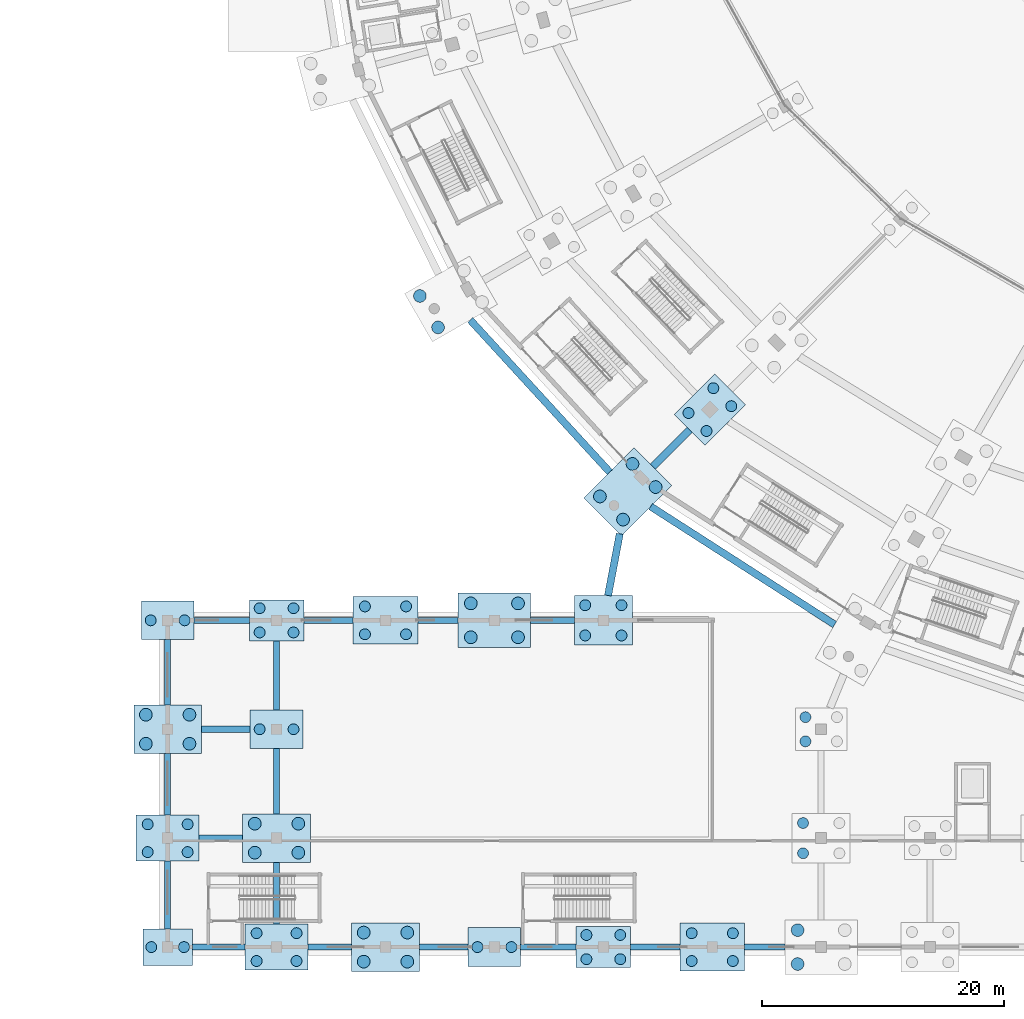
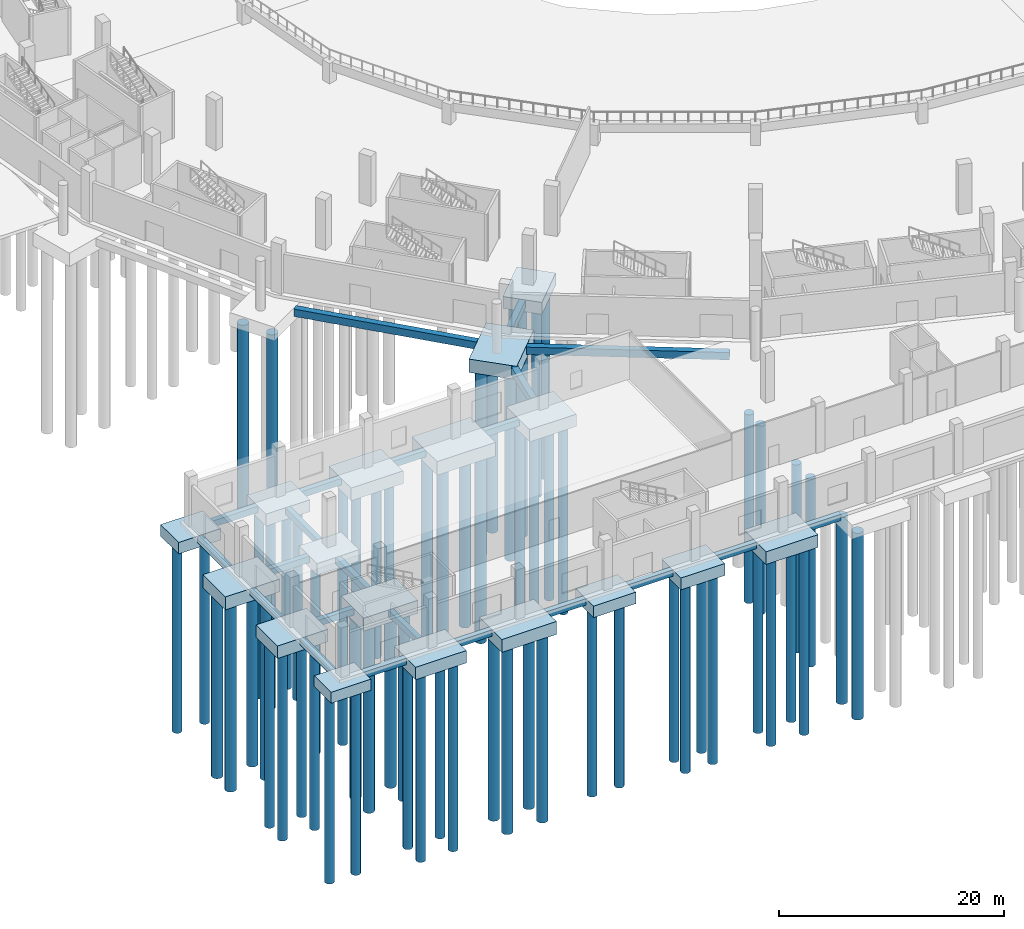
# One storey, part 1 of 103: 68 piles, 39 footings.
"""IFC4 building model written with IfcOpenShell, lengths in metres."""

import ifcopenshell
import ifcopenshell.guid

model = None  # the IFC model being written
_history = None  # IfcOwnerHistory: only IFC2X3 demands one
_inside = {}  # id of a spatial element -> (the spatial element, [elements in it])
_under = {}  # id of a project, library or spatial element -> (it, [spatial elements below it])
_declared = {}  # id of a project -> (the project, [libraries it declares])
_typed = {}  # id of a type object -> (the type object, [elements of that type])
_made_of = {}  # id of a material, layer set ... -> (it, [elements and type objects made of it])


def new_model(schema):
    """Start an empty IFC model of exactly this schema.

    Asked for "IFC4X3", IfcOpenShell would pick the latest addendum, in which some entities
    have other attributes; the version numbers below select the first issue.
    IFC2X3 requires an IfcOwnerHistory on every rooted entity: one is made here for all.
    """
    global model, _history
    if schema == "IFC4X3":
        model = ifcopenshell.file(schema_version=(4, 3, 0, 0))
    else:
        model = ifcopenshell.file(schema=schema)
    _inside.clear()
    _under.clear()
    _declared.clear()
    _typed.clear()
    _made_of.clear()
    _history = None
    if model.schema == "IFC2X3":
        org = make("IfcOrganization", Name="unknown")
        user = make(
            "IfcPersonAndOrganization",
            ThePerson=make("IfcPerson", FamilyName="unknown"),
            TheOrganization=org,
        )
        app = make(
            "IfcApplication",
            ApplicationDeveloper=org,
            Version="unknown",
            ApplicationFullName="unknown",
            ApplicationIdentifier="unknown",
        )
        _history = make(
            "IfcOwnerHistory",
            OwningUser=user,
            OwningApplication=app,
            ChangeAction="ADDED",
            CreationDate=0,
        )
    return model


def make(cls, **values):
    """One entity of the class cls with the attributes given. An attribute that is None is left unset."""
    return model.create_entity(
        cls, **{name: value for name, value in values.items() if value is not None}
    )


def rooted(cls, **values):
    """An entity with a GlobalId (a new one), such as an element, a storey or a relation."""
    return make(cls, GlobalId=ifcopenshell.guid.new(), OwnerHistory=_history, **values)


def si_unit(unit_type, name, prefix=None):
    """IfcSIUnit, for example si_unit("LENGTHUNIT", "METRE", prefix="MILLI")."""
    return make("IfcSIUnit", UnitType=unit_type, Prefix=prefix, Name=name)


def assignment(units):
    """IfcUnitAssignment: the units of a project."""
    return None if units is None else make("IfcUnitAssignment", Units=units)


def point(xyz):
    """IfcCartesianPoint."""
    return None if xyz is None else make("IfcCartesianPoint", Coordinates=xyz)


def direction(xyz):
    """IfcDirection."""
    return None if xyz is None else make("IfcDirection", DirectionRatios=xyz)


def frame(location, z_axis=None, x_axis=None):
    """IfcAxis2Placement3D, a coordinate frame: its origin and axes. An axis left out is left unset."""
    return make(
        "IfcAxis2Placement3D",
        Location=point(location),
        Axis=direction(z_axis),
        RefDirection=direction(x_axis),
    )


def frame_2d(location, x_axis=None):
    """IfcAxis2Placement2D, a coordinate frame in the plane: its origin and x axis."""
    return make(
        "IfcAxis2Placement2D", Location=point(location), RefDirection=direction(x_axis)
    )


def origin():
    """The frame at (0, 0, 0) with its axes left unset."""
    return frame((0.0, 0.0, 0.0))


def origin_2d():
    """The frame at (0, 0) in the plane with its x axis left unset."""
    return frame_2d((0.0, 0.0))


def place(relative_to, where):
    """IfcLocalPlacement: puts the frame where relative to a parent placement (None: the world)."""
    return make(
        "IfcLocalPlacement", PlacementRelTo=relative_to, RelativePlacement=where
    )


def context(
    kind, dimensions, precision=None, world=None, true_north=None, identifier=None
):
    """IfcGeometricRepresentationContext, for example the 3D "Model" context."""
    return make(
        "IfcGeometricRepresentationContext",
        ContextIdentifier=identifier,
        ContextType=kind,
        CoordinateSpaceDimension=dimensions,
        Precision=precision,
        WorldCoordinateSystem=world,
        TrueNorth=true_north,
    )


def subcontext(parent, identifier, kind, view, scale=None):
    """IfcGeometricRepresentationSubContext, for example "Body" below "Model"."""
    return make(
        "IfcGeometricRepresentationSubContext",
        ContextIdentifier=identifier,
        ContextType=kind,
        ParentContext=parent,
        TargetScale=scale,
        TargetView=view,
    )


def project(units=None, contexts=None):
    """IfcProject with its units and contexts."""
    return rooted(
        "IfcProject",
        Name="project",
        RepresentationContexts=contexts,
        UnitsInContext=assignment(units),
    )


def spatial(cls, under=None, at=None, **own):
    """A site, building, storey or space (cls), placed at a placement, below another one or the project."""
    s = rooted(cls, ObjectPlacement=at, **own)
    if under is not None:
        _under.setdefault(under.id(), (under, []))[1].append(s)
    return s


def profile(cls, at=None, kind="AREA", **sizes):
    """A parametric profile (cls). Its sizes go by their IFC names, for example OverallWidth=200.0."""
    return make(cls, ProfileType=kind, Position=at, **sizes)


def rectangle(**sizes):
    """IfcRectangleProfileDef."""
    return profile("IfcRectangleProfileDef", **sizes)


def circle(**sizes):
    """IfcCircleProfileDef."""
    return profile("IfcCircleProfileDef", **sizes)


def extrude(swept, where, along, depth):
    """IfcExtrudedAreaSolid: the profile swept, set in the frame where, extruded along a direction by depth."""
    return make(
        "IfcExtrudedAreaSolid",
        SweptArea=swept,
        Position=where,
        ExtrudedDirection=direction(along),
        Depth=depth,
    )


def shape(context_of_items, identifier, shape_type, items):
    """IfcShapeRepresentation: the items that make up one representation, for example the "Body"."""
    return make(
        "IfcShapeRepresentation",
        ContextOfItems=context_of_items,
        RepresentationIdentifier=identifier,
        RepresentationType=shape_type,
        Items=items,
    )


def material(Name=None, Category=None):
    """IfcMaterial."""
    return make("IfcMaterial", Name=Name, Category=Category)


def material_profile(
    of_material, cross_section, Name=None, Category=None, Priority=None
):
    """IfcMaterialProfile: a cross section and its material."""
    return make(
        "IfcMaterialProfile",
        Name=Name,
        Material=of_material,
        Profile=cross_section,
        Priority=Priority,
        Category=Category,
    )


def profile_set(profiles, Name=None, composite=None):
    """IfcMaterialProfileSet."""
    return make(
        "IfcMaterialProfileSet",
        Name=Name,
        MaterialProfiles=profiles,
        CompositeProfile=composite,
    )


def made_of(thing, what):
    """Note that an element or type object is made of a material, layer set ...; save() writes the relation."""
    if what is not None:
        _made_of.setdefault(what.id(), (what, []))[1].append(thing)
    return thing


def type_object(cls, material=None, **own):
    """A type object (cls), such as IfcWallType, which elements share."""
    return made_of(rooted(cls, **own), material)


def element(
    cls,
    number,
    at=None,
    inside=None,
    cuts=None,
    type_object=None,
    material=None,
    context=None,
    identifier="Body",
    shape_type=None,
    held_by="IfcProductDefinitionShape",
    body=None,
    shapes=None,
    **own,
):
    """One element of the class cls, such as IfcWall. Its Tag is "e" and its number.

    at: its placement. inside: the storey or other place that contains it. cuts: it is an
    opening in that element (IfcRelVoidsElement). A single representation is given by context,
    identifier, shape_type and body (its items); several are given by shapes. held_by: the class
    of the entity that holds the representations. save() writes the other relations.
    """
    e = rooted(cls, Tag="e%d" % number, ObjectPlacement=at, **own)
    if body is not None:
        shapes = [shape(context, identifier, shape_type, body)]
    if shapes is not None:
        e.Representation = make(held_by, Representations=shapes)
    if inside is not None:
        _inside.setdefault(inside.id(), (inside, []))[1].append(e)
    if cuts is not None:
        rooted(
            "IfcRelVoidsElement", RelatingBuildingElement=cuts, RelatedOpeningElement=e
        )
    if type_object is not None:
        _typed.setdefault(type_object.id(), (type_object, []))[1].append(e)
    return made_of(e, material)


def aggregate(whole, parts):
    """IfcRelAggregates: a whole, such as a stair, and the parts it consists of."""
    return rooted("IfcRelAggregates", RelatingObject=whole, RelatedObjects=parts)


def save(model, path):
    """Write the relations noted so far, then the file.

    IfcRelAggregates (storeys below a building ...), IfcRelContainedInSpatialStructure (elements
    in a storey), IfcRelDefinesByType, IfcRelAssociatesMaterial and IfcRelDeclares: one each for
    every whole, place, type object, material and project.
    """
    for whole, parts in _under.values():
        aggregate(whole, parts)
    for where, things in _inside.values():
        rooted(
            "IfcRelContainedInSpatialStructure",
            RelatedElements=things,
            RelatingStructure=where,
        )
    for kind, things in _typed.values():
        rooted("IfcRelDefinesByType", RelatedObjects=things, RelatingType=kind)
    for what, things in _made_of.values():
        rooted("IfcRelAssociatesMaterial", RelatedObjects=things, RelatingMaterial=what)
    for by, libraries in _declared.values():
        rooted("IfcRelDeclares", RelatingContext=by, RelatedDefinitions=libraries)
    model.write(path)


model = new_model("IFC4")

# Units and contexts
model_context = context("Model", 3, precision=1e-05, world=origin(), true_north=direction((0.0, 1.0)))
body_context = subcontext(model_context, "Body", "Model", "MODEL_VIEW")
ifc_project = project(units=[si_unit("LENGTHUNIT", "METRE"), si_unit("AREAUNIT", "SQUARE_METRE"), si_unit("VOLUMEUNIT", "CUBIC_METRE"), si_unit("PLANEANGLEUNIT", "RADIAN"), si_unit("MASSUNIT", "GRAM", prefix="KILO")], contexts=[model_context])

# Site, building, storey
site_placement = place(None, origin())
site = spatial("IfcSite", under=ifc_project, at=site_placement, CompositionType="ELEMENT")
building_placement = place(site_placement, origin())
building = spatial("IfcBuilding", under=site, at=building_placement, Name="Zevraka Park Crest Stadium", CompositionType="ELEMENT")
storey_placement = place(building_placement, origin())
storey = spatial("IfcBuildingStorey", under=building, at=storey_placement, Name="L00", CompositionType="ELEMENT", Elevation=0.0)

# Footings
ifc_material_1 = material(Name="Concrete C35/45", Category="concrete")
ifc_material_profile_1 = material_profile(ifc_material_1, rectangle(XDim=0.60009765625, YDim=0.800048828125, at=origin_2d()), Name="GB 800x600")
ifc_profile_set_1 = profile_set([ifc_material_profile_1], Name="Concrete C35/45")
footing_type_1 = type_object("IfcFootingType", Name="GB01", PredefinedType="FOOTING_BEAM", material=ifc_profile_set_1)
footing_1_placement = place(storey_placement, frame((34.00390625, 51.81396484375, -0.75), z_axis=(0.675899664643, -0.736993652167, 0.0), x_axis=(0.736993652167, 0.675899664643, 0.0)))
element("IfcFooting", 1, at=footing_1_placement, inside=storey, type_object=footing_type_1, Name="Ground Tie Beam GB01 CIR-DE-14", PredefinedType="FOOTING_BEAM", context=body_context, shape_type="SweptSolid", body=[
    extrude(rectangle(XDim=0.60009765625, YDim=0.800048828125, at=origin_2d()), origin(), (0.0, 0.0, 1.0), 17.051513671875),
])
footing_2_placement = place(storey_placement, frame((52.1259765625, 42.73291015625, -0.75), z_axis=(-0.707106781187, -0.707106781187, 0.0), x_axis=(0.707106781187, -0.707106781187, 0.0)))
element("IfcFooting", 2, at=footing_2_placement, inside=storey, type_object=footing_type_1, Name="Ground Tie Beam GB01 RAD-CDE-15", PredefinedType="FOOTING_BEAM", context=body_context, shape_type="SweptSolid", body=[
    extrude(rectangle(XDim=0.60009765625, YDim=0.800048828125, at=origin_2d()), origin(), (0.0, 0.0, 1.0), 4.300537109375),
])
footing_3_placement = place(storey_placement, frame((48.912109375, 36.406982421875, -0.75), z_axis=(0.841456315092, -0.540325151915, 0.0), x_axis=(0.540325151915, 0.841456315092, 0.0)))
element("IfcFooting", 3, at=footing_3_placement, inside=storey, type_object=footing_type_1, Name="Ground Tie Beam GB01 CIR-DE-15", PredefinedType="FOOTING_BEAM", context=body_context, shape_type="SweptSolid", body=[
    extrude(rectangle(XDim=0.60009765625, YDim=0.800048828125, at=origin_2d()), origin(), (0.0, 0.0, 1.0), 18.06494140625),
])
footing_4_placement = place(storey_placement, frame((45.388916015625, 29.050048828125, -0.75), z_axis=(0.186586612656, 0.982438515113, 0.0), x_axis=(-0.982438515113, 0.186586612656, 0.0)))
element("IfcFooting", 4, at=footing_4_placement, inside=storey, type_object=footing_type_1, Name="Ground Tie Beam GB01 WTIE-6-D", PredefinedType="FOOTING_BEAM", context=body_context, shape_type="SweptSolid", body=[
    extrude(rectangle(XDim=0.60009765625, YDim=0.800048828125, at=origin_2d()), origin(), (0.0, 0.0, 1.0), 5.18798828125),
])
ifc_material_2 = material(Name="Concrete C35/45", Category="concrete")
ifc_material_profile_2 = material_profile(ifc_material_2, rectangle(XDim=0.5, YDim=0.699951171875, at=origin_2d()), Name="GB 700x500")
ifc_profile_set_2 = profile_set([ifc_material_profile_2], Name="Concrete C35/45")
footing_type_2 = type_object("IfcFootingType", Name="GB02", PredefinedType="FOOTING_BEAM", material=ifc_profile_set_2)
footing_5_placement = place(storey_placement, frame((11.050048828125, 0.0, -0.699951171875), z_axis=(1.0, 0.0, 0.0), x_axis=(0.0, 1.0, 0.0)))
element("IfcFooting", 5, at=footing_5_placement, inside=storey, type_object=footing_type_2, Name="Ground Tie Beam GB02 WX-2-A", PredefinedType="FOOTING_BEAM", context=body_context, shape_type="SweptSolid", body=[
    extrude(rectangle(XDim=0.5, YDim=0.699951171875, at=origin_2d()), origin(), (0.0, 0.0, 1.0), 4.349853515625),
])
footing_6_placement = place(storey_placement, frame((9.0, 1.5, -0.699951171875), z_axis=(0.0, 1.0, 0.0), x_axis=(-1.0, 0.0, 0.0)))
element("IfcFooting", 6, at=footing_6_placement, inside=storey, type_object=footing_type_2, Name="Ground Tie Beam GB02 WY-2-A", PredefinedType="FOOTING_BEAM", context=body_context, shape_type="SweptSolid", body=[
    extrude(rectangle(XDim=0.5, YDim=0.699951171875, at=origin_2d()), origin(), (0.0, 0.0, 1.0), 5.60009765625),
])
footing_7_placement = place(storey_placement, frame((11.60009765625, 9.0, -0.699951171875), z_axis=(1.0, 0.0, 0.0), x_axis=(0.0, 1.0, 0.0)))
element("IfcFooting", 7, at=footing_7_placement, inside=storey, type_object=footing_type_2, Name="Ground Tie Beam GB02 WX-2-B", PredefinedType="FOOTING_BEAM", context=body_context, shape_type="SweptSolid", body=[
    extrude(rectangle(XDim=0.5, YDim=0.699951171875, at=origin_2d()), origin(), (0.0, 0.0, 1.0), 3.599853515625),
])
footing_8_placement = place(storey_placement, frame((9.0, 10.89990234375, -0.699951171875), z_axis=(0.0, 1.0, 0.0), x_axis=(-1.0, 0.0, 0.0)))
element("IfcFooting", 8, at=footing_8_placement, inside=storey, type_object=footing_type_2, Name="Ground Tie Beam GB02 WY-2-B", PredefinedType="FOOTING_BEAM", context=body_context, shape_type="SweptSolid", body=[
    extrude(rectangle(XDim=0.5, YDim=0.699951171875, at=origin_2d()), origin(), (0.0, 0.0, 1.0), 5.10009765625),
])
footing_9_placement = place(storey_placement, frame((11.800048828125, 18.0, -0.699951171875), z_axis=(1.0, 0.0, 0.0), x_axis=(0.0, 1.0, 0.0)))
element("IfcFooting", 9, at=footing_9_placement, inside=storey, type_object=footing_type_2, Name="Ground Tie Beam GB02 WX-2-C", PredefinedType="FOOTING_BEAM", context=body_context, shape_type="SweptSolid", body=[
    extrude(rectangle(XDim=0.5, YDim=0.699951171875, at=origin_2d()), origin(), (0.0, 0.0, 1.0), 4.02490234375),
])
footing_10_placement = place(storey_placement, frame((9.0, 20.0, -0.699951171875), z_axis=(0.0, 1.0, 0.0), x_axis=(-1.0, 0.0, 0.0)))
element("IfcFooting", 10, at=footing_10_placement, inside=storey, type_object=footing_type_2, Name="Ground Tie Beam GB02 WY-2-C", PredefinedType="FOOTING_BEAM", context=body_context, shape_type="SweptSolid", body=[
    extrude(rectangle(XDim=0.5, YDim=0.699951171875, at=origin_2d()), origin(), (0.0, 0.0, 1.0), 5.39990234375),
])
footing_11_placement = place(storey_placement, frame((11.175048828125, 27.0, -0.699951171875), z_axis=(1.0, 0.0, 0.0), x_axis=(0.0, 1.0, 0.0)))
element("IfcFooting", 11, at=footing_11_placement, inside=storey, type_object=footing_type_2, Name="Ground Tie Beam GB02 WX-2-D", PredefinedType="FOOTING_BEAM", context=body_context, shape_type="SweptSolid", body=[
    extrude(rectangle(XDim=0.5, YDim=0.699951171875, at=origin_2d()), origin(), (0.0, 0.0, 1.0), 4.574951171875),
])
footing_12_placement = place(storey_placement, frame((20.60009765625, 0.0, -0.699951171875), z_axis=(1.0, 0.0, 0.0), x_axis=(0.0, 1.0, 0.0)))
element("IfcFooting", 12, at=footing_12_placement, inside=storey, type_object=footing_type_2, Name="Ground Tie Beam GB02 WX-3-A", PredefinedType="FOOTING_BEAM", context=body_context, shape_type="SweptSolid", body=[
    extrude(rectangle(XDim=0.5, YDim=0.699951171875, at=origin_2d()), origin(), (0.0, 0.0, 1.0), 3.599853515625),
])
footing_13_placement = place(storey_placement, frame((18.0, 1.89990234375, -0.699951171875), z_axis=(0.0, 1.0, 0.0), x_axis=(-1.0, 0.0, 0.0)))
element("IfcFooting", 13, at=footing_13_placement, inside=storey, type_object=footing_type_2, Name="Ground Tie Beam GB02 WY-3-A", PredefinedType="FOOTING_BEAM", context=body_context, shape_type="SweptSolid", body=[
    extrude(rectangle(XDim=0.5, YDim=0.699951171875, at=origin_2d()), origin(), (0.0, 0.0, 1.0), 5.10009765625),
])
footing_14_placement = place(storey_placement, frame((18.0, 11.0, -0.699951171875), z_axis=(0.0, 1.0, 0.0), x_axis=(-1.0, 0.0, 0.0)))
element("IfcFooting", 14, at=footing_14_placement, inside=storey, type_object=footing_type_2, Name="Ground Tie Beam GB02 WY-3-B", PredefinedType="FOOTING_BEAM", context=body_context, shape_type="SweptSolid", body=[
    extrude(rectangle(XDim=0.5, YDim=0.699951171875, at=origin_2d()), origin(), (0.0, 0.0, 1.0), 5.39990234375),
])
footing_15_placement = place(storey_placement, frame((18.0, 19.60009765625, -0.699951171875), z_axis=(0.0, 1.0, 0.0), x_axis=(-1.0, 0.0, 0.0)))
element("IfcFooting", 15, at=footing_15_placement, inside=storey, type_object=footing_type_2, Name="Ground Tie Beam GB02 WY-3-C", PredefinedType="FOOTING_BEAM", context=body_context, shape_type="SweptSolid", body=[
    extrude(rectangle(XDim=0.5, YDim=0.699951171875, at=origin_2d()), origin(), (0.0, 0.0, 1.0), 5.699951171875),
])
footing_16_placement = place(storey_placement, frame((20.25, 27.0, -0.699951171875), z_axis=(1.0, 0.0, 0.0), x_axis=(0.0, 1.0, 0.0)))
element("IfcFooting", 16, at=footing_16_placement, inside=storey, type_object=footing_type_2, Name="Ground Tie Beam GB02 WX-3-D", PredefinedType="FOOTING_BEAM", context=body_context, shape_type="SweptSolid", body=[
    extrude(rectangle(XDim=0.5, YDim=0.699951171875, at=origin_2d()), origin(), (0.0, 0.0, 1.0), 4.074951171875),
])
footing_17_placement = place(storey_placement, frame((29.800048828125, 0.0, -0.699951171875), z_axis=(1.0, 0.0, 0.0), x_axis=(0.0, 1.0, 0.0)))
element("IfcFooting", 17, at=footing_17_placement, inside=storey, type_object=footing_type_2, Name="Ground Tie Beam GB02 WX-4-A", PredefinedType="FOOTING_BEAM", context=body_context, shape_type="SweptSolid", body=[
    extrude(rectangle(XDim=0.5, YDim=0.699951171875, at=origin_2d()), origin(), (0.0, 0.0, 1.0), 4.02490234375),
])
footing_18_placement = place(storey_placement, frame((29.675048828125, 27.0, -0.699951171875), z_axis=(1.0, 0.0, 0.0), x_axis=(0.0, 1.0, 0.0)))
element("IfcFooting", 18, at=footing_18_placement, inside=storey, type_object=footing_type_2, Name="Ground Tie Beam GB02 WX-4-D", PredefinedType="FOOTING_BEAM", context=body_context, shape_type="SweptSolid", body=[
    extrude(rectangle(XDim=0.5, YDim=0.699951171875, at=origin_2d()), origin(), (0.0, 0.0, 1.0), 3.324951171875),
])
footing_19_placement = place(storey_placement, frame((38.175048828125, 0.0, -0.699951171875), z_axis=(1.0, 0.0, 0.0), x_axis=(0.0, 1.0, 0.0)))
element("IfcFooting", 19, at=footing_19_placement, inside=storey, type_object=footing_type_2, Name="Ground Tie Beam GB02 WX-5-A", PredefinedType="FOOTING_BEAM", context=body_context, shape_type="SweptSolid", body=[
    extrude(rectangle(XDim=0.5, YDim=0.699951171875, at=origin_2d()), origin(), (0.0, 0.0, 1.0), 4.574951171875),
])
footing_20_placement = place(storey_placement, frame((39.0, 27.0, -0.699951171875), z_axis=(1.0, 0.0, 0.0), x_axis=(0.0, 1.0, 0.0)))
element("IfcFooting", 20, at=footing_20_placement, inside=storey, type_object=footing_type_2, Name="Ground Tie Beam GB02 WX-5-D", PredefinedType="FOOTING_BEAM", context=body_context, shape_type="SweptSolid", body=[
    extrude(rectangle(XDim=0.5, YDim=0.699951171875, at=origin_2d()), origin(), (0.0, 0.0, 1.0), 3.60009765625),
])
footing_21_placement = place(storey_placement, frame((47.25, 0.0, -0.699951171875), z_axis=(1.0, 0.0, 0.0), x_axis=(0.0, 1.0, 0.0)))
element("IfcFooting", 21, at=footing_21_placement, inside=storey, type_object=footing_type_2, Name="Ground Tie Beam GB02 WX-6-A", PredefinedType="FOOTING_BEAM", context=body_context, shape_type="SweptSolid", body=[
    extrude(rectangle(XDim=0.5, YDim=0.699951171875, at=origin_2d()), origin(), (0.0, 0.0, 1.0), 4.074951171875),
])
footing_22_placement = place(storey_placement, frame((56.675048828125, 0.0, -0.699951171875), z_axis=(1.0, 0.0, 0.0), x_axis=(0.0, 1.0, 0.0)))
element("IfcFooting", 22, at=footing_22_placement, inside=storey, type_object=footing_type_2, Name="Ground Tie Beam GB02 WX-7-A", PredefinedType="FOOTING_BEAM", context=body_context, shape_type="SweptSolid", body=[
    extrude(rectangle(XDim=0.5, YDim=0.699951171875, at=origin_2d()), origin(), (0.0, 0.0, 1.0), 3.324951171875),
])
ifc_material_3 = material(Name="Concrete C35/45", Category="concrete")
footing_type_3 = type_object("IfcFootingType", Name="PC10", PredefinedType="PILE_CAP", material=ifc_material_3)
footing_23_placement = place(storey_placement, frame((9.0, 0.0, -1.5498046875), z_axis=(0.0, 0.0, 1.0), x_axis=(1.0, 0.0, 0.0)))
element("IfcFooting", 23, at=footing_23_placement, inside=storey, type_object=footing_type_3, Name="Foundation PC10 W-2-A", PredefinedType="PILE_CAP", context=body_context, shape_type="SweptSolid", body=[
    extrude(rectangle(XDim=4.10009765625, YDim=3.0, at=origin_2d()), origin(), (0.0, 0.0, 1.0), 1.199951171875),
])
ifc_material_4 = material(Name="Concrete C35/45", Category="concrete")
footing_type_4 = type_object("IfcFootingType", Name="PC11", PredefinedType="PILE_CAP", material=ifc_material_4)
for number, where, z_axis, x_axis, name in (
    (24, (9.0, 9.0, -1.699951171875), (0.0, 0.0, 1.0), (1.0, 0.0, 0.0), "Foundation PC11 W-2-B"),
    (25, (18.0, 0.0, -1.699951171875), (0.0, 0.0, 1.0), (1.0, 0.0, 0.0), "Foundation PC11 W-3-A"),
):
    element("IfcFooting", number, at=place(storey_placement, frame(where, z_axis=z_axis, x_axis=x_axis)), inside=storey, type_object=footing_type_4, Name=name, PredefinedType="PILE_CAP", context=body_context, shape_type="SweptSolid", body=[
        extrude(rectangle(XDim=5.199951171875, YDim=3.800048828125, at=origin_2d()), origin(), (0.0, 0.0, 1.0), 1.35009765625),
    ])
ifc_material_5 = material(Name="Concrete C35/45", Category="concrete")
footing_type_5 = type_object("IfcFootingType", Name="PC12", PredefinedType="PILE_CAP", material=ifc_material_5)
for number, where, z_axis, x_axis, name in (
    (26, (9.0, 18.0, -1.75), (0.0, 0.0, 1.0), (1.0, 0.0, 0.0), "Foundation PC12 W-2-C"),
    (27, (18.0, 9.0, -1.75), (0.0, 0.0, 1.0), (1.0, 0.0, 0.0), "Foundation PC12 W-3-B"),
    (28, (27.0, 0.0, -1.75), (0.0, 0.0, 1.0), (1.0, 0.0, 0.0), "Foundation PC12 W-4-A"),
):
    element("IfcFooting", number, at=place(storey_placement, frame(where, z_axis=z_axis, x_axis=x_axis)), inside=storey, type_object=footing_type_5, Name=name, PredefinedType="PILE_CAP", context=body_context, shape_type="SweptSolid", body=[
        extrude(rectangle(XDim=5.60009765625, YDim=4.0, at=origin_2d()), origin(), (0.0, 0.0, 1.0), 1.39990234375),
    ])
ifc_material_6 = material(Name="Concrete C35/45", Category="concrete")
footing_type_6 = type_object("IfcFootingType", Name="PC13", PredefinedType="PILE_CAP", material=ifc_material_6)
footing_24_placement = place(storey_placement, frame((53.804931640625, 44.412109375, -1.64990234375), z_axis=(0.0, 0.0, 1.0), x_axis=(0.707106781187, 0.707106781187, 0.0)))
element("IfcFooting", 29, at=footing_24_placement, inside=storey, type_object=footing_type_6, Name="Foundation PC13 C-15", PredefinedType="PILE_CAP", context=body_context, shape_type="SweptSolid", body=[
    extrude(rectangle(XDim=4.75, YDim=3.60009765625, at=origin_2d()), origin(), (0.0, 0.0, 1.0), 1.300048828125),
])
ifc_material_7 = material(Name="Concrete C35/45", Category="concrete")
footing_type_7 = type_object("IfcFootingType", Name="PC15", PredefinedType="PILE_CAP", material=ifc_material_7)
footing_25_placement = place(storey_placement, frame((47.01708984375, 37.6240234375, -1.7998046875), z_axis=(0.0, 0.0, 1.0), x_axis=(0.707106781187, 0.707106781187, 0.0)))
element("IfcFooting", 30, at=footing_25_placement, inside=storey, type_object=footing_type_7, Name="Foundation PC15 DE-15", PredefinedType="PILE_CAP", context=body_context, shape_type="SweptSolid", body=[
    extrude(rectangle(XDim=5.85009765625, YDim=4.39990234375, at=origin_2d()), origin(), (0.0, 0.0, 1.0), 1.449951171875),
])
ifc_material_8 = material(Name="Concrete C35/45", Category="concrete")
footing_type_8 = type_object("IfcFootingType", Name="PC16", PredefinedType="PILE_CAP", material=ifc_material_8)
for number, where, z_axis, x_axis, name in (
    (31, (9.0, 27.0, -1.60009765625), (0.0, 0.0, 1.0), (1.0, 0.0, 0.0), "Foundation PC16 W-2-D"),
    (32, (18.0, 18.0, -1.60009765625), (0.0, 0.0, 1.0), (1.0, 0.0, 0.0), "Foundation PC16 W-3-C"),
    (33, (36.0, 0.0, -1.60009765625), (0.0, 0.0, 1.0), (1.0, 0.0, 0.0), "Foundation PC16 W-5-A"),
):
    element("IfcFooting", number, at=place(storey_placement, frame(where, z_axis=z_axis, x_axis=x_axis)), inside=storey, type_object=footing_type_8, Name=name, PredefinedType="PILE_CAP", context=body_context, shape_type="SweptSolid", body=[
        extrude(rectangle(XDim=4.35009765625, YDim=3.199951171875, at=origin_2d()), origin(), (0.0, 0.0, 1.0), 1.25),
    ])
ifc_material_9 = material(Name="Concrete C35/45", Category="concrete")
footing_type_9 = type_object("IfcFootingType", Name="PC17", PredefinedType="PILE_CAP", material=ifc_material_9)
for number, where, z_axis, x_axis, name in (
    (34, (18.0, 27.0, -1.64990234375), (0.0, 0.0, 1.0), (1.0, 0.0, 0.0), "Foundation PC17 W-3-D"),
    (35, (45.0, 0.0, -1.64990234375), (0.0, 0.0, 1.0), (1.0, 0.0, 0.0), "Foundation PC17 W-6-A"),
):
    element("IfcFooting", number, at=place(storey_placement, frame(where, z_axis=z_axis, x_axis=x_axis)), inside=storey, type_object=footing_type_9, Name=name, PredefinedType="PILE_CAP", context=body_context, shape_type="SweptSolid", body=[
        extrude(rectangle(XDim=4.5, YDim=3.39990234375, at=origin_2d()), origin(), (0.0, 0.0, 1.0), 1.300048828125),
    ])
ifc_material_10 = material(Name="Concrete C35/45", Category="concrete")
footing_type_10 = type_object("IfcFootingType", Name="PC18", PredefinedType="PILE_CAP", material=ifc_material_10)
for number, where, z_axis, x_axis, name in (
    (36, (27.0, 27.0, -1.72998046875), (0.0, 0.0, 1.0), (1.0, 0.0, 0.0), "Foundation PC18 W-4-D"),
    (37, (54.0, 0.0, -1.72998046875), (0.0, 0.0, 1.0), (1.0, 0.0, 0.0), "Foundation PC18 W-7-A"),
):
    element("IfcFooting", number, at=place(storey_placement, frame(where, z_axis=z_axis, x_axis=x_axis)), inside=storey, type_object=footing_type_10, Name=name, PredefinedType="PILE_CAP", context=body_context, shape_type="SweptSolid", body=[
        extrude(rectangle(XDim=5.35009765625, YDim=3.949951171875, at=origin_2d()), origin(), (0.0, 0.0, 1.0), 1.3798828125),
    ])
ifc_material_11 = material(Name="Concrete C35/45", Category="concrete")
footing_type_11 = type_object("IfcFootingType", Name="PC19", PredefinedType="PILE_CAP", material=ifc_material_11)
footing_26_placement = place(storey_placement, frame((36.0, 27.0, -1.830078125), z_axis=(0.0, 0.0, 1.0), x_axis=(1.0, 0.0, 0.0)))
element("IfcFooting", 38, at=footing_26_placement, inside=storey, type_object=footing_type_11, Name="Foundation PC19 W-5-D", PredefinedType="PILE_CAP", context=body_context, shape_type="SweptSolid", body=[
    extrude(rectangle(XDim=6.0, YDim=4.5, at=origin_2d()), origin(), (0.0, 0.0, 1.0), 1.47998046875),
])
ifc_material_12 = material(Name="Concrete C35/45", Category="concrete")
footing_type_12 = type_object("IfcFootingType", Name="PC20", PredefinedType="PILE_CAP", material=ifc_material_12)
footing_27_placement = place(storey_placement, frame((45.0, 27.0, -1.699951171875), z_axis=(0.0, 0.0, 1.0), x_axis=(1.0, 0.0, 0.0)))
element("IfcFooting", 39, at=footing_27_placement, inside=storey, type_object=footing_type_12, Name="Foundation PC20 W-6-D", PredefinedType="PILE_CAP", context=body_context, shape_type="SweptSolid", body=[
    extrude(rectangle(XDim=4.800048828125, YDim=4.10009765625, at=origin_2d()), origin(), (0.0, 0.0, 1.0), 1.35009765625),
])

# Piles
ifc_material_13 = material(Name="Concrete C35/45", Category="concrete")
ifc_material_profile_3 = material_profile(ifc_material_13, circle(Radius=0.449951171875, at=origin_2d()), Name="PILE D900")
ifc_profile_set_3 = profile_set([ifc_material_profile_3], Name="Concrete C35/45")
pile_type_1 = type_object("IfcPileType", Name="PL01", PredefinedType="BORED", material=ifc_profile_set_3)
for number, where, z_axis, x_axis, name in (
    (40, (53.52197265625, 42.64404296875, -1.550048828125), (0.0, 0.0, -1.0), (1.0, 0.0, 0.0), "Bored Pile PL01 C-15-1"),
    (41, (55.572998046875, 44.695068359375, -1.550048828125), (0.0, 0.0, -1.0), (1.0, 0.0, 0.0), "Bored Pile PL01 C-15-2"),
    (42, (52.037109375, 44.12890625, -1.550048828125), (0.0, 0.0, -1.0), (1.0, 0.0, 0.0), "Bored Pile PL01 C-15-3"),
    (43, (54.087890625, 46.179931640625, -1.550048828125), (0.0, 0.0, -1.0), (1.0, 0.0, 0.0), "Bored Pile PL01 C-15-4"),
):
    element("IfcPile", number, at=place(storey_placement, frame(where, z_axis=z_axis, x_axis=x_axis)), inside=storey, type_object=pile_type_1, Name=name, PredefinedType="BORED", context=body_context, shape_type="SweptSolid", body=[
        extrude(circle(Radius=0.449951171875, at=origin_2d()), origin(), (0.0, 0.0, 1.0), 20.449951171875),
    ])
for number, where, z_axis, x_axis, name in (
    (44, (7.64990234375, 0.0, -1.449951171875), (0.0, 0.0, -1.0), (1.0, 0.0, 0.0), "Bored Pile PL01 W-2-A-1"),
    (45, (10.35009765625, 0.0, -1.449951171875), (0.0, 0.0, -1.0), (1.0, 0.0, 0.0), "Bored Pile PL01 W-2-A-2"),
):
    element("IfcPile", number, at=place(storey_placement, frame(where, z_axis=z_axis, x_axis=x_axis)), inside=storey, type_object=pile_type_1, Name=name, PredefinedType="BORED", context=body_context, shape_type="SweptSolid", body=[
        extrude(circle(Radius=0.449951171875, at=origin_2d()), origin(), (0.0, 0.0, 1.0), 20.550048828125),
    ])
for number, where, z_axis, x_axis, name in (
    (46, (7.35009765625, 7.85009765625, -1.60009765625), (0.0, 0.0, -1.0), (1.0, 0.0, 0.0), "Bored Pile PL01 W-2-B-1"),
    (47, (10.64990234375, 7.85009765625, -1.60009765625), (0.0, 0.0, -1.0), (1.0, 0.0, 0.0), "Bored Pile PL01 W-2-B-2"),
    (48, (7.35009765625, 10.14990234375, -1.60009765625), (0.0, 0.0, -1.0), (1.0, 0.0, 0.0), "Bored Pile PL01 W-2-B-3"),
    (49, (10.64990234375, 10.14990234375, -1.60009765625), (0.0, 0.0, -1.0), (1.0, 0.0, 0.0), "Bored Pile PL01 W-2-B-4"),
):
    element("IfcPile", number, at=place(storey_placement, frame(where, z_axis=z_axis, x_axis=x_axis)), inside=storey, type_object=pile_type_1, Name=name, PredefinedType="BORED", context=body_context, shape_type="SweptSolid", body=[
        extrude(circle(Radius=0.449951171875, at=origin_2d()), origin(), (0.0, 0.0, 1.0), 20.39990234375),
    ])
for number, where, z_axis, x_axis, name in (
    (50, (7.60009765625, 27.0, -1.5), (0.0, 0.0, -1.0), (1.0, 0.0, 0.0), "Bored Pile PL01 W-2-D-1"),
    (51, (10.39990234375, 27.0, -1.5), (0.0, 0.0, -1.0), (1.0, 0.0, 0.0), "Bored Pile PL01 W-2-D-2"),
):
    element("IfcPile", number, at=place(storey_placement, frame(where, z_axis=z_axis, x_axis=x_axis)), inside=storey, type_object=pile_type_1, Name=name, PredefinedType="BORED", context=body_context, shape_type="SweptSolid", body=[
        extrude(circle(Radius=0.449951171875, at=origin_2d()), origin(), (0.0, 0.0, 1.0), 20.5),
    ])
for number, where, z_axis, x_axis, name in (
    (52, (16.35009765625, -1.14990234375, -1.60009765625), (0.0, 0.0, -1.0), (1.0, 0.0, 0.0), "Bored Pile PL01 W-3-A-1"),
    (53, (19.64990234375, -1.14990234375, -1.60009765625), (0.0, 0.0, -1.0), (1.0, 0.0, 0.0), "Bored Pile PL01 W-3-A-2"),
    (54, (16.35009765625, 1.14990234375, -1.60009765625), (0.0, 0.0, -1.0), (1.0, 0.0, 0.0), "Bored Pile PL01 W-3-A-3"),
    (55, (19.64990234375, 1.14990234375, -1.60009765625), (0.0, 0.0, -1.0), (1.0, 0.0, 0.0), "Bored Pile PL01 W-3-A-4"),
):
    element("IfcPile", number, at=place(storey_placement, frame(where, z_axis=z_axis, x_axis=x_axis)), inside=storey, type_object=pile_type_1, Name=name, PredefinedType="BORED", context=body_context, shape_type="SweptSolid", body=[
        extrude(circle(Radius=0.449951171875, at=origin_2d()), origin(), (0.0, 0.0, 1.0), 20.39990234375),
    ])
for number, where, z_axis, x_axis, name in (
    (56, (16.60009765625, 18.0, -1.5), (0.0, 0.0, -1.0), (1.0, 0.0, 0.0), "Bored Pile PL01 W-3-C-1"),
    (57, (19.39990234375, 18.0, -1.5), (0.0, 0.0, -1.0), (1.0, 0.0, 0.0), "Bored Pile PL01 W-3-C-2"),
):
    element("IfcPile", number, at=place(storey_placement, frame(where, z_axis=z_axis, x_axis=x_axis)), inside=storey, type_object=pile_type_1, Name=name, PredefinedType="BORED", context=body_context, shape_type="SweptSolid", body=[
        extrude(circle(Radius=0.449951171875, at=origin_2d()), origin(), (0.0, 0.0, 1.0), 20.5),
    ])
for number, where, z_axis, x_axis, name in (
    (58, (16.60009765625, 26.0, -1.550048828125), (0.0, 0.0, -1.0), (1.0, 0.0, 0.0), "Bored Pile PL01 W-3-D-1"),
    (59, (19.39990234375, 26.0, -1.550048828125), (0.0, 0.0, -1.0), (1.0, 0.0, 0.0), "Bored Pile PL01 W-3-D-2"),
    (60, (16.60009765625, 28.0, -1.550048828125), (0.0, 0.0, -1.0), (1.0, 0.0, 0.0), "Bored Pile PL01 W-3-D-3"),
    (61, (19.39990234375, 28.0, -1.550048828125), (0.0, 0.0, -1.0), (1.0, 0.0, 0.0), "Bored Pile PL01 W-3-D-4"),
):
    element("IfcPile", number, at=place(storey_placement, frame(where, z_axis=z_axis, x_axis=x_axis)), inside=storey, type_object=pile_type_1, Name=name, PredefinedType="BORED", context=body_context, shape_type="SweptSolid", body=[
        extrude(circle(Radius=0.449951171875, at=origin_2d()), origin(), (0.0, 0.0, 1.0), 20.449951171875),
    ])
for number, where, z_axis, x_axis, name in (
    (62, (25.300048828125, 25.85009765625, -1.6298828125), (0.0, 0.0, -1.0), (1.0, 0.0, 0.0), "Bored Pile PL01 W-4-D-1"),
    (63, (28.699951171875, 25.85009765625, -1.6298828125), (0.0, 0.0, -1.0), (1.0, 0.0, 0.0), "Bored Pile PL01 W-4-D-2"),
    (64, (25.300048828125, 28.14990234375, -1.6298828125), (0.0, 0.0, -1.0), (1.0, 0.0, 0.0), "Bored Pile PL01 W-4-D-3"),
    (65, (28.699951171875, 28.14990234375, -1.6298828125), (0.0, 0.0, -1.0), (1.0, 0.0, 0.0), "Bored Pile PL01 W-4-D-4"),
):
    element("IfcPile", number, at=place(storey_placement, frame(where, z_axis=z_axis, x_axis=x_axis)), inside=storey, type_object=pile_type_1, Name=name, PredefinedType="BORED", context=body_context, shape_type="SweptSolid", body=[
        extrude(circle(Radius=0.449951171875, at=origin_2d()), origin(), (0.0, 0.0, 1.0), 20.3701171875),
    ])
for number, where, z_axis, x_axis, name in (
    (66, (34.60009765625, 0.0, -1.5), (0.0, 0.0, -1.0), (1.0, 0.0, 0.0), "Bored Pile PL01 W-5-A-1"),
    (67, (37.39990234375, 0.0, -1.5), (0.0, 0.0, -1.0), (1.0, 0.0, 0.0), "Bored Pile PL01 W-5-A-2"),
):
    element("IfcPile", number, at=place(storey_placement, frame(where, z_axis=z_axis, x_axis=x_axis)), inside=storey, type_object=pile_type_1, Name=name, PredefinedType="BORED", context=body_context, shape_type="SweptSolid", body=[
        extrude(circle(Radius=0.449951171875, at=origin_2d()), origin(), (0.0, 0.0, 1.0), 20.5),
    ])
for number, where, z_axis, x_axis, name in (
    (68, (43.60009765625, -1.0, -1.550048828125), (0.0, 0.0, -1.0), (1.0, 0.0, 0.0), "Bored Pile PL01 W-6-A-1"),
    (69, (46.39990234375, -1.0, -1.550048828125), (0.0, 0.0, -1.0), (1.0, 0.0, 0.0), "Bored Pile PL01 W-6-A-2"),
    (70, (43.60009765625, 1.0, -1.550048828125), (0.0, 0.0, -1.0), (1.0, 0.0, 0.0), "Bored Pile PL01 W-6-A-3"),
    (71, (46.39990234375, 1.0, -1.550048828125), (0.0, 0.0, -1.0), (1.0, 0.0, 0.0), "Bored Pile PL01 W-6-A-4"),
):
    element("IfcPile", number, at=place(storey_placement, frame(where, z_axis=z_axis, x_axis=x_axis)), inside=storey, type_object=pile_type_1, Name=name, PredefinedType="BORED", context=body_context, shape_type="SweptSolid", body=[
        extrude(circle(Radius=0.449951171875, at=origin_2d()), origin(), (0.0, 0.0, 1.0), 20.449951171875),
    ])
for number, where, z_axis, x_axis, name in (
    (72, (43.5, 25.75, -1.60009765625), (0.0, 0.0, -1.0), (1.0, 0.0, 0.0), "Bored Pile PL01 W-6-D-1"),
    (73, (46.5, 25.75, -1.60009765625), (0.0, 0.0, -1.0), (1.0, 0.0, 0.0), "Bored Pile PL01 W-6-D-2"),
    (74, (43.5, 28.25, -1.60009765625), (0.0, 0.0, -1.0), (1.0, 0.0, 0.0), "Bored Pile PL01 W-6-D-3"),
    (75, (46.5, 28.25, -1.60009765625), (0.0, 0.0, -1.0), (1.0, 0.0, 0.0), "Bored Pile PL01 W-6-D-4"),
):
    element("IfcPile", number, at=place(storey_placement, frame(where, z_axis=z_axis, x_axis=x_axis)), inside=storey, type_object=pile_type_1, Name=name, PredefinedType="BORED", context=body_context, shape_type="SweptSolid", body=[
        extrude(circle(Radius=0.449951171875, at=origin_2d()), origin(), (0.0, 0.0, 1.0), 20.39990234375),
    ])
for number, where, z_axis, x_axis, name in (
    (76, (52.300048828125, -1.14990234375, -1.6298828125), (0.0, 0.0, -1.0), (1.0, 0.0, 0.0), "Bored Pile PL01 W-7-A-1"),
    (77, (55.699951171875, -1.14990234375, -1.6298828125), (0.0, 0.0, -1.0), (1.0, 0.0, 0.0), "Bored Pile PL01 W-7-A-2"),
    (78, (52.300048828125, 1.14990234375, -1.6298828125), (0.0, 0.0, -1.0), (1.0, 0.0, 0.0), "Bored Pile PL01 W-7-A-3"),
    (79, (55.699951171875, 1.14990234375, -1.6298828125), (0.0, 0.0, -1.0), (1.0, 0.0, 0.0), "Bored Pile PL01 W-7-A-4"),
):
    element("IfcPile", number, at=place(storey_placement, frame(where, z_axis=z_axis, x_axis=x_axis)), inside=storey, type_object=pile_type_1, Name=name, PredefinedType="BORED", context=body_context, shape_type="SweptSolid", body=[
        extrude(circle(Radius=0.449951171875, at=origin_2d()), origin(), (0.0, 0.0, 1.0), 20.3701171875),
    ])
for number, where, z_axis, x_axis, name in (
    (80, (61.5, 7.75, -1.60009765625), (0.0, 0.0, -1.0), (1.0, 0.0, 0.0), "Bored Pile PL01 W-8-B-1"),
    (81, (61.5, 10.25, -1.60009765625), (0.0, 0.0, -1.0), (1.0, 0.0, 0.0), "Bored Pile PL01 W-8-B-3"),
):
    element("IfcPile", number, at=place(storey_placement, frame(where, z_axis=z_axis, x_axis=x_axis)), inside=storey, type_object=pile_type_1, Name=name, PredefinedType="BORED", context=body_context, shape_type="SweptSolid", body=[
        extrude(circle(Radius=0.449951171875, at=origin_2d()), origin(), (0.0, 0.0, 1.0), 20.39990234375),
    ])
for number, where, z_axis, x_axis, name in (
    (82, (61.699951171875, 17.0, -1.530029296875), (0.0, 0.0, -1.0), (1.0, 0.0, 0.0), "Bored Pile PL01 W-8-C-1"),
    (83, (61.699951171875, 19.0, -1.530029296875), (0.0, 0.0, -1.0), (1.0, 0.0, 0.0), "Bored Pile PL01 W-8-C-3"),
):
    element("IfcPile", number, at=place(storey_placement, frame(where, z_axis=z_axis, x_axis=x_axis)), inside=storey, type_object=pile_type_1, Name=name, PredefinedType="BORED", context=body_context, shape_type="SweptSolid", body=[
        extrude(circle(Radius=0.449951171875, at=origin_2d()), origin(), (0.0, 0.0, 1.0), 20.469970703125),
    ])
ifc_material_14 = material(Name="Concrete C35/45", Category="concrete")
ifc_material_profile_4 = material_profile(ifc_material_14, circle(Radius=0.52490234375, at=origin_2d()), Name="PILE D1050")
ifc_profile_set_4 = profile_set([ifc_material_profile_4], Name="Concrete C35/45")
pile_type_2 = type_object("IfcPileType", Name="PL02", PredefinedType="BORED", material=ifc_profile_set_4)
for number, where, z_axis, x_axis, name in (
    (84, (31.343017578125, 51.200927734375, -1.699951171875), (0.0, 0.0, -1.0), (1.0, 0.0, 0.0), "Bored Pile PL02 DE-14-1"),
    (85, (29.843017578125, 53.799072265625, -1.699951171875), (0.0, 0.0, -1.0), (1.0, 0.0, 0.0), "Bored Pile PL02 DE-14-3"),
    (86, (46.6279296875, 35.325927734375, -1.699951171875), (0.0, 0.0, -1.0), (1.0, 0.0, 0.0), "Bored Pile PL02 DE-15-1"),
    (87, (49.31494140625, 38.012939453125, -1.699951171875), (0.0, 0.0, -1.0), (1.0, 0.0, 0.0), "Bored Pile PL02 DE-15-2"),
    (88, (44.718994140625, 37.235107421875, -1.699951171875), (0.0, 0.0, -1.0), (1.0, 0.0, 0.0), "Bored Pile PL02 DE-15-3"),
    (89, (47.406005859375, 39.922119140625, -1.699951171875), (0.0, 0.0, -1.0), (1.0, 0.0, 0.0), "Bored Pile PL02 DE-15-4"),
):
    element("IfcPile", number, at=place(storey_placement, frame(where, z_axis=z_axis, x_axis=x_axis)), inside=storey, type_object=pile_type_2, Name=name, PredefinedType="BORED", context=body_context, shape_type="SweptSolid", body=[
        extrude(circle(Radius=0.52490234375, at=origin_2d()), origin(), (0.0, 0.0, 1.0), 20.300048828125),
    ])
for number, where, z_axis, x_axis, name in (
    (90, (7.199951171875, 16.800048828125, -1.64990234375), (0.0, 0.0, -1.0), (1.0, 0.0, 0.0), "Bored Pile PL02 W-2-C-1"),
    (91, (10.800048828125, 16.800048828125, -1.64990234375), (0.0, 0.0, -1.0), (1.0, 0.0, 0.0), "Bored Pile PL02 W-2-C-2"),
    (92, (7.199951171875, 19.199951171875, -1.64990234375), (0.0, 0.0, -1.0), (1.0, 0.0, 0.0), "Bored Pile PL02 W-2-C-3"),
    (93, (10.800048828125, 19.199951171875, -1.64990234375), (0.0, 0.0, -1.0), (1.0, 0.0, 0.0), "Bored Pile PL02 W-2-C-4"),
    (94, (16.199951171875, 7.800048828125, -1.64990234375), (0.0, 0.0, -1.0), (1.0, 0.0, 0.0), "Bored Pile PL02 W-3-B-1"),
    (95, (19.800048828125, 7.800048828125, -1.64990234375), (0.0, 0.0, -1.0), (1.0, 0.0, 0.0), "Bored Pile PL02 W-3-B-2"),
    (96, (16.199951171875, 10.199951171875, -1.64990234375), (0.0, 0.0, -1.0), (1.0, 0.0, 0.0), "Bored Pile PL02 W-3-B-3"),
    (97, (19.800048828125, 10.199951171875, -1.64990234375), (0.0, 0.0, -1.0), (1.0, 0.0, 0.0), "Bored Pile PL02 W-3-B-4"),
    (98, (25.199951171875, -1.199951171875, -1.64990234375), (0.0, 0.0, -1.0), (1.0, 0.0, 0.0), "Bored Pile PL02 W-4-A-1"),
    (99, (28.800048828125, -1.199951171875, -1.64990234375), (0.0, 0.0, -1.0), (1.0, 0.0, 0.0), "Bored Pile PL02 W-4-A-2"),
    (100, (25.199951171875, 1.199951171875, -1.64990234375), (0.0, 0.0, -1.0), (1.0, 0.0, 0.0), "Bored Pile PL02 W-4-A-3"),
    (101, (28.800048828125, 1.199951171875, -1.64990234375), (0.0, 0.0, -1.0), (1.0, 0.0, 0.0), "Bored Pile PL02 W-4-A-4"),
):
    element("IfcPile", number, at=place(storey_placement, frame(where, z_axis=z_axis, x_axis=x_axis)), inside=storey, type_object=pile_type_2, Name=name, PredefinedType="BORED", context=body_context, shape_type="SweptSolid", body=[
        extrude(circle(Radius=0.52490234375, at=origin_2d()), origin(), (0.0, 0.0, 1.0), 20.35009765625),
    ])
for number, where, z_axis, x_axis, name in (
    (102, (34.050048828125, 25.60009765625, -1.72998046875), (0.0, 0.0, -1.0), (1.0, 0.0, 0.0), "Bored Pile PL02 W-5-D-1"),
    (103, (37.949951171875, 25.60009765625, -1.72998046875), (0.0, 0.0, -1.0), (1.0, 0.0, 0.0), "Bored Pile PL02 W-5-D-2"),
    (104, (34.050048828125, 28.39990234375, -1.72998046875), (0.0, 0.0, -1.0), (1.0, 0.0, 0.0), "Bored Pile PL02 W-5-D-3"),
    (105, (37.949951171875, 28.39990234375, -1.72998046875), (0.0, 0.0, -1.0), (1.0, 0.0, 0.0), "Bored Pile PL02 W-5-D-4"),
    (106, (61.050048828125, -1.39990234375, -1.72998046875), (0.0, 0.0, -1.0), (1.0, 0.0, 0.0), "Bored Pile PL02 W-8-A-1"),
    (107, (61.050048828125, 1.39990234375, -1.72998046875), (0.0, 0.0, -1.0), (1.0, 0.0, 0.0), "Bored Pile PL02 W-8-A-3"),
):
    element("IfcPile", number, at=place(storey_placement, frame(where, z_axis=z_axis, x_axis=x_axis)), inside=storey, type_object=pile_type_2, Name=name, PredefinedType="BORED", context=body_context, shape_type="SweptSolid", body=[
        extrude(circle(Radius=0.52490234375, at=origin_2d()), origin(), (0.0, 0.0, 1.0), 20.27001953125),
    ])

save(model, "model.ifc")
